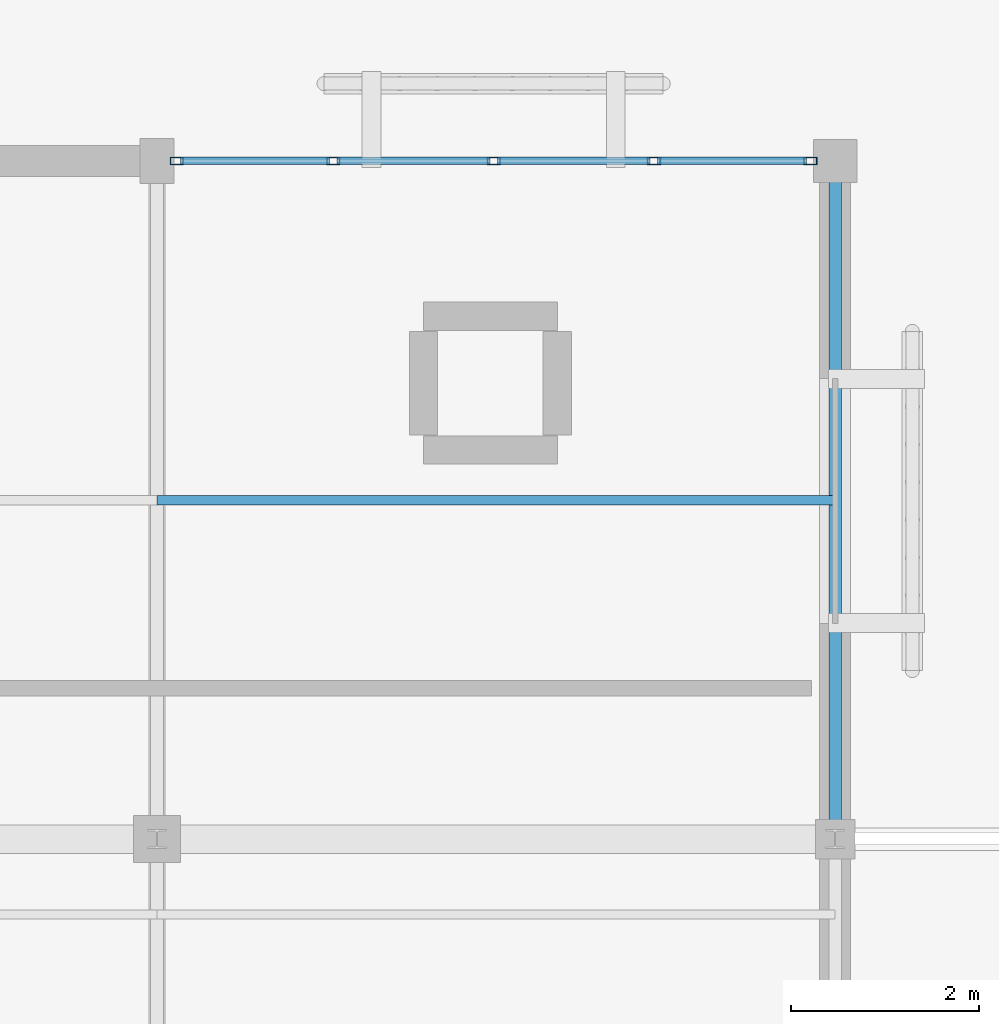
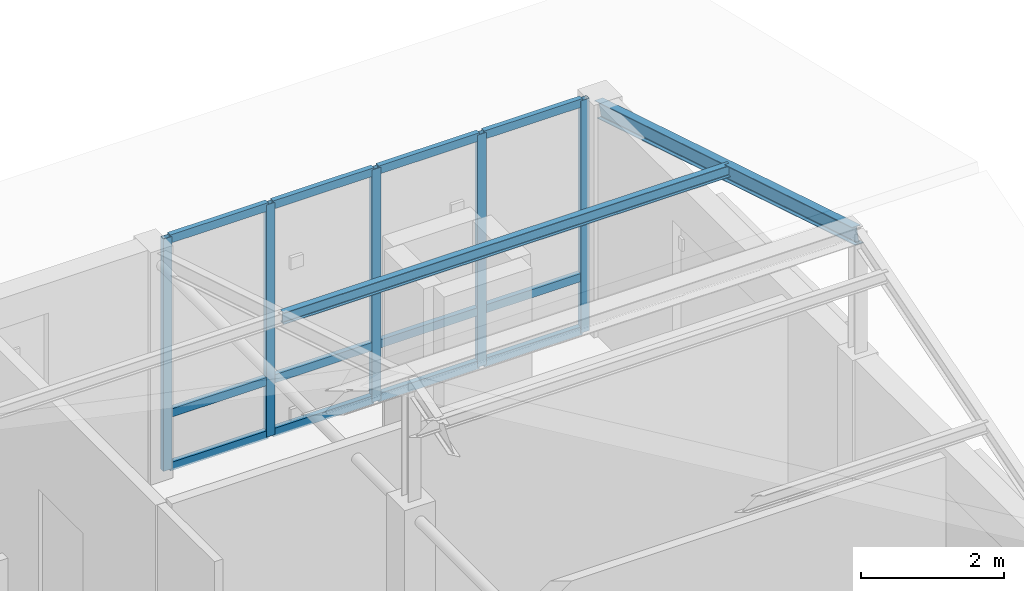
# One storey, part 39 of 61: 19 members, 1 element without a shape of its own.
"""IFC4 building model written with IfcOpenShell, lengths in metres."""

import ifcopenshell
import ifcopenshell.guid

model = None  # the IFC model being written
_history = None  # IfcOwnerHistory: only IFC2X3 demands one
_inside = {}  # id of a spatial element -> (the spatial element, [elements in it])
_under = {}  # id of a project, library or spatial element -> (it, [spatial elements below it])
_declared = {}  # id of a project -> (the project, [libraries it declares])
_typed = {}  # id of a type object -> (the type object, [elements of that type])
_made_of = {}  # id of a material, layer set ... -> (it, [elements and type objects made of it])


def new_model(schema):
    """Start an empty IFC model of exactly this schema.

    Asked for "IFC4X3", IfcOpenShell would pick the latest addendum, in which some entities
    have other attributes; the version numbers below select the first issue.
    IFC2X3 requires an IfcOwnerHistory on every rooted entity: one is made here for all.
    """
    global model, _history
    if schema == "IFC4X3":
        model = ifcopenshell.file(schema_version=(4, 3, 0, 0))
    else:
        model = ifcopenshell.file(schema=schema)
    _inside.clear()
    _under.clear()
    _declared.clear()
    _typed.clear()
    _made_of.clear()
    _history = None
    if model.schema == "IFC2X3":
        org = make("IfcOrganization", Name="unknown")
        user = make(
            "IfcPersonAndOrganization",
            ThePerson=make("IfcPerson", FamilyName="unknown"),
            TheOrganization=org,
        )
        app = make(
            "IfcApplication",
            ApplicationDeveloper=org,
            Version="unknown",
            ApplicationFullName="unknown",
            ApplicationIdentifier="unknown",
        )
        _history = make(
            "IfcOwnerHistory",
            OwningUser=user,
            OwningApplication=app,
            ChangeAction="ADDED",
            CreationDate=0,
        )
    return model


def make(cls, **values):
    """One entity of the class cls with the attributes given. An attribute that is None is left unset."""
    return model.create_entity(
        cls, **{name: value for name, value in values.items() if value is not None}
    )


def rooted(cls, **values):
    """An entity with a GlobalId (a new one), such as an element, a storey or a relation."""
    return make(cls, GlobalId=ifcopenshell.guid.new(), OwnerHistory=_history, **values)


def si_unit(unit_type, name, prefix=None):
    """IfcSIUnit, for example si_unit("LENGTHUNIT", "METRE", prefix="MILLI")."""
    return make("IfcSIUnit", UnitType=unit_type, Prefix=prefix, Name=name)


def assignment(units):
    """IfcUnitAssignment: the units of a project."""
    return None if units is None else make("IfcUnitAssignment", Units=units)


def point(xyz):
    """IfcCartesianPoint."""
    return None if xyz is None else make("IfcCartesianPoint", Coordinates=xyz)


def direction(xyz):
    """IfcDirection."""
    return None if xyz is None else make("IfcDirection", DirectionRatios=xyz)


def frame(location, z_axis=None, x_axis=None):
    """IfcAxis2Placement3D, a coordinate frame: its origin and axes. An axis left out is left unset."""
    return make(
        "IfcAxis2Placement3D",
        Location=point(location),
        Axis=direction(z_axis),
        RefDirection=direction(x_axis),
    )


def frame_2d(location, x_axis=None):
    """IfcAxis2Placement2D, a coordinate frame in the plane: its origin and x axis."""
    return make(
        "IfcAxis2Placement2D", Location=point(location), RefDirection=direction(x_axis)
    )


def origin():
    """The frame at (0, 0, 0) with its axes left unset."""
    return frame((0.0, 0.0, 0.0))


def origin_2d():
    """The frame at (0, 0) in the plane with its x axis left unset."""
    return frame_2d((0.0, 0.0))


def place(relative_to, where):
    """IfcLocalPlacement: puts the frame where relative to a parent placement (None: the world)."""
    return make(
        "IfcLocalPlacement", PlacementRelTo=relative_to, RelativePlacement=where
    )


def context(
    kind, dimensions, precision=None, world=None, true_north=None, identifier=None
):
    """IfcGeometricRepresentationContext, for example the 3D "Model" context."""
    return make(
        "IfcGeometricRepresentationContext",
        ContextIdentifier=identifier,
        ContextType=kind,
        CoordinateSpaceDimension=dimensions,
        Precision=precision,
        WorldCoordinateSystem=world,
        TrueNorth=true_north,
    )


def subcontext(parent, identifier, kind, view, scale=None):
    """IfcGeometricRepresentationSubContext, for example "Body" below "Model"."""
    return make(
        "IfcGeometricRepresentationSubContext",
        ContextIdentifier=identifier,
        ContextType=kind,
        ParentContext=parent,
        TargetScale=scale,
        TargetView=view,
    )


def project(units=None, contexts=None):
    """IfcProject with its units and contexts."""
    return rooted(
        "IfcProject",
        Name="project",
        RepresentationContexts=contexts,
        UnitsInContext=assignment(units),
    )


def spatial(cls, under=None, at=None, **own):
    """A site, building, storey or space (cls), placed at a placement, below another one or the project."""
    s = rooted(cls, ObjectPlacement=at, **own)
    if under is not None:
        _under.setdefault(under.id(), (under, []))[1].append(s)
    return s


def profile(cls, at=None, kind="AREA", **sizes):
    """A parametric profile (cls). Its sizes go by their IFC names, for example OverallWidth=200.0."""
    return make(cls, ProfileType=kind, Position=at, **sizes)


def hollow_rectangle(**sizes):
    """IfcRectangleHollowProfileDef."""
    return profile("IfcRectangleHollowProfileDef", **sizes)


def i_section(**sizes):
    """IfcIShapeProfileDef."""
    return profile("IfcIShapeProfileDef", **sizes)


def extrude(swept, where, along, depth):
    """IfcExtrudedAreaSolid: the profile swept, set in the frame where, extruded along a direction by depth."""
    return make(
        "IfcExtrudedAreaSolid",
        SweptArea=swept,
        Position=where,
        ExtrudedDirection=direction(along),
        Depth=depth,
    )


def shape(context_of_items, identifier, shape_type, items):
    """IfcShapeRepresentation: the items that make up one representation, for example the "Body"."""
    return make(
        "IfcShapeRepresentation",
        ContextOfItems=context_of_items,
        RepresentationIdentifier=identifier,
        RepresentationType=shape_type,
        Items=items,
    )


def material(Name=None, Category=None):
    """IfcMaterial."""
    return make("IfcMaterial", Name=Name, Category=Category)


def layer(
    of_material, thickness, ventilated=None, Name=None, Category=None, Priority=None
):
    """IfcMaterialLayer: one layer of a wall or slab, of a material (None: an air gap)."""
    return make(
        "IfcMaterialLayer",
        Material=of_material,
        LayerThickness=thickness,
        IsVentilated=ventilated,
        Name=Name,
        Category=Category,
        Priority=Priority,
    )


def layer_set(layers, Name=None):
    """IfcMaterialLayerSet."""
    return make("IfcMaterialLayerSet", MaterialLayers=layers, LayerSetName=Name)


def material_profile(
    of_material, cross_section, Name=None, Category=None, Priority=None
):
    """IfcMaterialProfile: a cross section and its material."""
    return make(
        "IfcMaterialProfile",
        Name=Name,
        Material=of_material,
        Profile=cross_section,
        Priority=Priority,
        Category=Category,
    )


def profile_set(profiles, Name=None, composite=None):
    """IfcMaterialProfileSet."""
    return make(
        "IfcMaterialProfileSet",
        Name=Name,
        MaterialProfiles=profiles,
        CompositeProfile=composite,
    )


def made_of(thing, what):
    """Note that an element or type object is made of a material, layer set ...; save() writes the relation."""
    if what is not None:
        _made_of.setdefault(what.id(), (what, []))[1].append(thing)
    return thing


def type_object(cls, material=None, **own):
    """A type object (cls), such as IfcWallType, which elements share."""
    return made_of(rooted(cls, **own), material)


def element(
    cls,
    number,
    at=None,
    inside=None,
    cuts=None,
    type_object=None,
    material=None,
    context=None,
    identifier="Body",
    shape_type=None,
    held_by="IfcProductDefinitionShape",
    body=None,
    shapes=None,
    **own,
):
    """One element of the class cls, such as IfcWall. Its Tag is "e" and its number.

    at: its placement. inside: the storey or other place that contains it. cuts: it is an
    opening in that element (IfcRelVoidsElement). A single representation is given by context,
    identifier, shape_type and body (its items); several are given by shapes. held_by: the class
    of the entity that holds the representations. save() writes the other relations.
    """
    e = rooted(cls, Tag="e%d" % number, ObjectPlacement=at, **own)
    if body is not None:
        shapes = [shape(context, identifier, shape_type, body)]
    if shapes is not None:
        e.Representation = make(held_by, Representations=shapes)
    if inside is not None:
        _inside.setdefault(inside.id(), (inside, []))[1].append(e)
    if cuts is not None:
        rooted(
            "IfcRelVoidsElement", RelatingBuildingElement=cuts, RelatedOpeningElement=e
        )
    if type_object is not None:
        _typed.setdefault(type_object.id(), (type_object, []))[1].append(e)
    return made_of(e, material)


def aggregate(whole, parts):
    """IfcRelAggregates: a whole, such as a stair, and the parts it consists of."""
    return rooted("IfcRelAggregates", RelatingObject=whole, RelatedObjects=parts)


def save(model, path):
    """Write the relations noted so far, then the file.

    IfcRelAggregates (storeys below a building ...), IfcRelContainedInSpatialStructure (elements
    in a storey), IfcRelDefinesByType, IfcRelAssociatesMaterial and IfcRelDeclares: one each for
    every whole, place, type object, material and project.
    """
    for whole, parts in _under.values():
        aggregate(whole, parts)
    for where, things in _inside.values():
        rooted(
            "IfcRelContainedInSpatialStructure",
            RelatedElements=things,
            RelatingStructure=where,
        )
    for kind, things in _typed.values():
        rooted("IfcRelDefinesByType", RelatedObjects=things, RelatingType=kind)
    for what, things in _made_of.values():
        rooted("IfcRelAssociatesMaterial", RelatedObjects=things, RelatingMaterial=what)
    for by, libraries in _declared.values():
        rooted("IfcRelDeclares", RelatingContext=by, RelatedDefinitions=libraries)
    model.write(path)


model = new_model("IFC4")

# Units and contexts
model_context = context("Model", 3, precision=1e-05, world=origin(), true_north=direction((0.0, 1.0)))
body_context = subcontext(model_context, "Body", "Model", "MODEL_VIEW")
ifc_project = project(units=[si_unit("LENGTHUNIT", "METRE"), si_unit("AREAUNIT", "SQUARE_METRE"), si_unit("VOLUMEUNIT", "CUBIC_METRE"), si_unit("PLANEANGLEUNIT", "RADIAN"), si_unit("MASSUNIT", "GRAM", prefix="KILO")], contexts=[model_context])

# Site, building, storey
site_placement = place(None, origin())
site = spatial("IfcSite", under=ifc_project, at=site_placement, CompositionType="ELEMENT")
building_placement = place(site_placement, origin())
building = spatial("IfcBuilding", under=site, at=building_placement, Name="Mazaris Harbour Polytechnic", CompositionType="ELEMENT")
storey_placement = place(building_placement, frame((0.0, 0.0, 18.0)))
storey = spatial("IfcBuildingStorey", under=building, at=storey_placement, Name="L04", CompositionType="ELEMENT", Elevation=18.0)

# Curtain wall, members
ifc_material_1 = material(Name="Anodised Bronze Aluminium and Low-E Glass", Category="aluminium")
ifc_layer = layer(ifc_material_1, 0.169921875, Name="Anodised Bronze Aluminium and Low-E Glass")
ifc_layer_set = layer_set([ifc_layer], Name="Anodised Bronze Aluminium and Low-E Glass")
curtain_wall_type = type_object("IfcCurtainWallType", Name="Studio North-Light Curtain Wall", PredefinedType="NOTDEFINED", material=ifc_layer_set)
curtain_wall_placement = place(storey_placement, origin())
curtain_wall = element("IfcCurtainWall", 1, at=curtain_wall_placement, inside=storey, type_object=curtain_wall_type, Name="V5 L04 Curtain Wall 274", PredefinedType="NOTDEFINED")
ifc_material_2 = material(Name="Anodised Bronze Steel S355", Category="steel")
ifc_material_profile_1 = material_profile(ifc_material_2, hollow_rectangle(XDim=0.080078125, YDim=0.139892578125, WallThickness=0.00634765625, at=origin_2d()), Name="RHS 80x140x6.3")
ifc_profile_set_1 = profile_set([ifc_material_profile_1], Name="Anodised Bronze Steel S355")
member_type_1 = type_object("IfcMemberType", Name="Curtain Mullion RHS80x140", PredefinedType="MULLION", material=ifc_profile_set_1)
member_1_placement = place(storey_placement, frame((165.81201171875, 100.800048828125, 0.0), z_axis=(0.0, 0.0, 1.0), x_axis=(0.0, 1.0, 0.0)))
member_1 = element("IfcMember", 2, at=member_1_placement, type_object=member_type_1, Name="CW-03 mullion 1", PredefinedType="MULLION", context=body_context, shape_type="SweptSolid", body=[
    extrude(hollow_rectangle(XDim=0.080078125, YDim=0.139892578125, WallThickness=0.00634765625, at=origin_2d()), origin(), (0.0, 0.0, 1.0), 3.9599609375),
])
member_2_placement = place(storey_placement, frame((167.473388671875, 100.800048828125, 0.0), z_axis=(0.0, 0.0, 1.0), x_axis=(0.0, 1.0, 0.0)))
member_2 = element("IfcMember", 3, at=member_2_placement, type_object=member_type_1, Name="CW-03 mullion 2", PredefinedType="MULLION", context=body_context, shape_type="SweptSolid", body=[
    extrude(hollow_rectangle(XDim=0.080078125, YDim=0.139892578125, WallThickness=0.00634765625, at=origin_2d()), origin(), (0.0, 0.0, 1.0), 3.9599609375),
])
member_3_placement = place(storey_placement, frame((169.175048828125, 100.800048828125, 0.0), z_axis=(0.0, 0.0, 1.0), x_axis=(0.0, 1.0, 0.0)))
member_3 = element("IfcMember", 4, at=member_3_placement, type_object=member_type_1, Name="CW-03 mullion 3", PredefinedType="MULLION", context=body_context, shape_type="SweptSolid", body=[
    extrude(hollow_rectangle(XDim=0.080078125, YDim=0.139892578125, WallThickness=0.00634765625, at=origin_2d()), origin(), (0.0, 0.0, 1.0), 3.9599609375),
])
member_4_placement = place(storey_placement, frame((170.87646484375, 100.800048828125, 0.0), z_axis=(0.0, 0.0, 1.0), x_axis=(0.0, 1.0, 0.0)))
member_4 = element("IfcMember", 5, at=member_4_placement, type_object=member_type_1, Name="CW-03 mullion 4", PredefinedType="MULLION", context=body_context, shape_type="SweptSolid", body=[
    extrude(hollow_rectangle(XDim=0.080078125, YDim=0.139892578125, WallThickness=0.00634765625, at=origin_2d()), origin(), (0.0, 0.0, 1.0), 3.9599609375),
])
member_5_placement = place(storey_placement, frame((172.5380859375, 100.800048828125, 0.0), z_axis=(0.0, 0.0, 1.0), x_axis=(0.0, 1.0, 0.0)))
member_5 = element("IfcMember", 6, at=member_5_placement, type_object=member_type_1, Name="CW-03 mullion 5", PredefinedType="MULLION", context=body_context, shape_type="SweptSolid", body=[
    extrude(hollow_rectangle(XDim=0.080078125, YDim=0.139892578125, WallThickness=0.00634765625, at=origin_2d()), origin(), (0.0, 0.0, 1.0), 3.9599609375),
])
ifc_material_3 = material(Name="Anodised Bronze Steel S355", Category="steel")
ifc_material_profile_2 = material_profile(ifc_material_3, hollow_rectangle(XDim=0.080078125, YDim=0.139892578125, WallThickness=0.00634765625, at=origin_2d()), Name="RHS 80x140x6.3")
ifc_profile_set_2 = profile_set([ifc_material_profile_2], Name="Anodised Bronze Steel S355")
member_type_2 = type_object("IfcMemberType", Name="Curtain Transom RHS80x140", PredefinedType="USERDEFINED", material=ifc_profile_set_2)
member_6_placement = place(storey_placement, frame((165.85205078125, 100.800048828125, 0.0400390625), z_axis=(1.0, 0.0, 0.0), x_axis=(0.0, 1.0, 0.0)))
member_6 = element("IfcMember", 7, at=member_6_placement, type_object=member_type_2, Name="CW-03 transom 1.1", ObjectType="TRANSOM", PredefinedType="USERDEFINED", context=body_context, shape_type="SweptSolid", body=[
    extrude(hollow_rectangle(XDim=0.080078125, YDim=0.139892578125, WallThickness=0.00634765625, at=origin_2d()), origin(), (0.0, 0.0, 1.0), 1.58154296875),
])
member_7_placement = place(storey_placement, frame((165.85205078125, 100.800048828125, 0.949951171875), z_axis=(1.0, 0.0, 0.0), x_axis=(0.0, 1.0, 0.0)))
member_7 = element("IfcMember", 8, at=member_7_placement, type_object=member_type_2, Name="CW-03 transom 1.2", ObjectType="TRANSOM", PredefinedType="USERDEFINED", context=body_context, shape_type="SweptSolid", body=[
    extrude(hollow_rectangle(XDim=0.080078125, YDim=0.139892578125, WallThickness=0.00634765625, at=origin_2d()), origin(), (0.0, 0.0, 1.0), 1.58154296875),
])
member_8_placement = place(storey_placement, frame((165.85205078125, 100.800048828125, 3.919921875), z_axis=(1.0, 0.0, 0.0), x_axis=(0.0, 1.0, 0.0)))
member_8 = element("IfcMember", 9, at=member_8_placement, type_object=member_type_2, Name="CW-03 transom 1.3", ObjectType="TRANSOM", PredefinedType="USERDEFINED", context=body_context, shape_type="SweptSolid", body=[
    extrude(hollow_rectangle(XDim=0.080078125, YDim=0.139892578125, WallThickness=0.00634765625, at=origin_2d()), origin(), (0.0, 0.0, 1.0), 1.58154296875),
])
member_9_placement = place(storey_placement, frame((167.513427734375, 100.800048828125, 0.0400390625), z_axis=(1.0, 0.0, 0.0), x_axis=(0.0, 1.0, 0.0)))
member_9 = element("IfcMember", 10, at=member_9_placement, type_object=member_type_2, Name="CW-03 transom 2.1", ObjectType="TRANSOM", PredefinedType="USERDEFINED", context=body_context, shape_type="SweptSolid", body=[
    extrude(hollow_rectangle(XDim=0.080078125, YDim=0.139892578125, WallThickness=0.00634765625, at=origin_2d()), origin(), (0.0, 0.0, 1.0), 1.62158203125),
])
member_10_placement = place(storey_placement, frame((167.513427734375, 100.800048828125, 0.949951171875), z_axis=(1.0, 0.0, 0.0), x_axis=(0.0, 1.0, 0.0)))
member_10 = element("IfcMember", 11, at=member_10_placement, type_object=member_type_2, Name="CW-03 transom 2.2", ObjectType="TRANSOM", PredefinedType="USERDEFINED", context=body_context, shape_type="SweptSolid", body=[
    extrude(hollow_rectangle(XDim=0.080078125, YDim=0.139892578125, WallThickness=0.00634765625, at=origin_2d()), origin(), (0.0, 0.0, 1.0), 1.62158203125),
])
member_11_placement = place(storey_placement, frame((167.513427734375, 100.800048828125, 3.919921875), z_axis=(1.0, 0.0, 0.0), x_axis=(0.0, 1.0, 0.0)))
member_11 = element("IfcMember", 12, at=member_11_placement, type_object=member_type_2, Name="CW-03 transom 2.3", ObjectType="TRANSOM", PredefinedType="USERDEFINED", context=body_context, shape_type="SweptSolid", body=[
    extrude(hollow_rectangle(XDim=0.080078125, YDim=0.139892578125, WallThickness=0.00634765625, at=origin_2d()), origin(), (0.0, 0.0, 1.0), 1.62158203125),
])
member_12_placement = place(storey_placement, frame((169.215087890625, 100.800048828125, 0.0400390625), z_axis=(1.0, 0.0, 0.0), x_axis=(0.0, 1.0, 0.0)))
member_12 = element("IfcMember", 13, at=member_12_placement, type_object=member_type_2, Name="CW-03 transom 3.1", ObjectType="TRANSOM", PredefinedType="USERDEFINED", context=body_context, shape_type="SweptSolid", body=[
    extrude(hollow_rectangle(XDim=0.080078125, YDim=0.139892578125, WallThickness=0.00634765625, at=origin_2d()), origin(), (0.0, 0.0, 1.0), 1.621337890625),
])
member_13_placement = place(storey_placement, frame((169.215087890625, 100.800048828125, 0.949951171875), z_axis=(1.0, 0.0, 0.0), x_axis=(0.0, 1.0, 0.0)))
member_13 = element("IfcMember", 14, at=member_13_placement, type_object=member_type_2, Name="CW-03 transom 3.2", ObjectType="TRANSOM", PredefinedType="USERDEFINED", context=body_context, shape_type="SweptSolid", body=[
    extrude(hollow_rectangle(XDim=0.080078125, YDim=0.139892578125, WallThickness=0.00634765625, at=origin_2d()), origin(), (0.0, 0.0, 1.0), 1.621337890625),
])
member_14_placement = place(storey_placement, frame((169.215087890625, 100.800048828125, 3.919921875), z_axis=(1.0, 0.0, 0.0), x_axis=(0.0, 1.0, 0.0)))
member_14 = element("IfcMember", 15, at=member_14_placement, type_object=member_type_2, Name="CW-03 transom 3.3", ObjectType="TRANSOM", PredefinedType="USERDEFINED", context=body_context, shape_type="SweptSolid", body=[
    extrude(hollow_rectangle(XDim=0.080078125, YDim=0.139892578125, WallThickness=0.00634765625, at=origin_2d()), origin(), (0.0, 0.0, 1.0), 1.621337890625),
])
member_15_placement = place(storey_placement, frame((170.91650390625, 100.800048828125, 0.0400390625), z_axis=(1.0, 0.0, 0.0), x_axis=(0.0, 1.0, 0.0)))
member_15 = element("IfcMember", 16, at=member_15_placement, type_object=member_type_2, Name="CW-03 transom 4.1", ObjectType="TRANSOM", PredefinedType="USERDEFINED", context=body_context, shape_type="SweptSolid", body=[
    extrude(hollow_rectangle(XDim=0.080078125, YDim=0.139892578125, WallThickness=0.00634765625, at=origin_2d()), origin(), (0.0, 0.0, 1.0), 1.58154296875),
])
member_16_placement = place(storey_placement, frame((170.91650390625, 100.800048828125, 0.949951171875), z_axis=(1.0, 0.0, 0.0), x_axis=(0.0, 1.0, 0.0)))
member_16 = element("IfcMember", 17, at=member_16_placement, type_object=member_type_2, Name="CW-03 transom 4.2", ObjectType="TRANSOM", PredefinedType="USERDEFINED", context=body_context, shape_type="SweptSolid", body=[
    extrude(hollow_rectangle(XDim=0.080078125, YDim=0.139892578125, WallThickness=0.00634765625, at=origin_2d()), origin(), (0.0, 0.0, 1.0), 1.58154296875),
])
member_17_placement = place(storey_placement, frame((170.91650390625, 100.800048828125, 3.919921875), z_axis=(1.0, 0.0, 0.0), x_axis=(0.0, 1.0, 0.0)))
member_17 = element("IfcMember", 18, at=member_17_placement, type_object=member_type_2, Name="CW-03 transom 4.3", ObjectType="TRANSOM", PredefinedType="USERDEFINED", context=body_context, shape_type="SweptSolid", body=[
    extrude(hollow_rectangle(XDim=0.080078125, YDim=0.139892578125, WallThickness=0.00634765625, at=origin_2d()), origin(), (0.0, 0.0, 1.0), 1.58154296875),
])
aggregate(curtain_wall, [member_1, member_2, member_3, member_4, member_5, member_6, member_7, member_8, member_9, member_10, member_11, member_12, member_13, member_14, member_15, member_16, member_17])

# Members
ifc_material_4 = material(Name="Steel S355", Category="steel")
ifc_material_profile_3 = material_profile(ifc_material_4, i_section(OverallWidth=0.10009765625, OverallDepth=0.199951171875, WebThickness=0.005615234375, FlangeThickness=0.008544921875, FilletRadius=0.011962890625, at=origin_2d()), Name="IPE 200")
ifc_profile_set_3 = profile_set([ifc_material_profile_3], Name="Steel S355")
member_type_3 = type_object("IfcMemberType", Name="Steel Purlin IPE200", PredefinedType="PURLIN", material=ifc_profile_set_3)
member_18_placement = place(storey_placement, frame((165.60009765625, 97.199951171875, 4.840087890625), z_axis=(1.0, 0.0, 0.0), x_axis=(0.0, 1.0, 0.0)))
element("IfcMember", 19, at=member_18_placement, inside=storey, type_object=member_type_3, Name="V5 Studio Roof Purlin 207", PredefinedType="PURLIN", context=body_context, shape_type="SweptSolid", body=[
    extrude(i_section(OverallWidth=0.10009765625, OverallDepth=0.199951171875, WebThickness=0.005615234375, FlangeThickness=0.008544921875, FilletRadius=0.011962890625, at=origin_2d()), origin(), (0.0, 0.0, 1.0), 7.199951171875),
])
ifc_material_5 = material(Name="Steel S355", Category="steel")
ifc_material_profile_4 = material_profile(ifc_material_5, i_section(OverallWidth=0.135009765625, OverallDepth=0.27001953125, WebThickness=0.006591796875, FlangeThickness=0.01025390625, FilletRadius=0.014892578125, at=origin_2d()), Name="IPE 270")
ifc_profile_set_4 = profile_set([ifc_material_profile_4], Name="Steel S355")
member_type_4 = type_object("IfcMemberType", Name="Steel Rafter IPE270", PredefinedType="RAFTER", material=ifc_profile_set_4)
member_19_placement = place(storey_placement, frame((172.800048828125, 93.60009765625, 5.89990234375), z_axis=(0.0, 0.95635282974, -0.292214416222), x_axis=(-1.0, 0.0, 0.0)))
element("IfcMember", 20, at=member_19_placement, inside=storey, type_object=member_type_4, Name="V5 Studio North Rafter 19", PredefinedType="RAFTER", context=body_context, shape_type="SweptSolid", body=[
    extrude(i_section(OverallWidth=0.135009765625, OverallDepth=0.27001953125, WebThickness=0.006591796875, FlangeThickness=0.01025390625, FilletRadius=0.014892578125, at=origin_2d()), origin(), (0.0, 0.0, 1.0), 7.528564453125),
])

save(model, "model.ifc")
